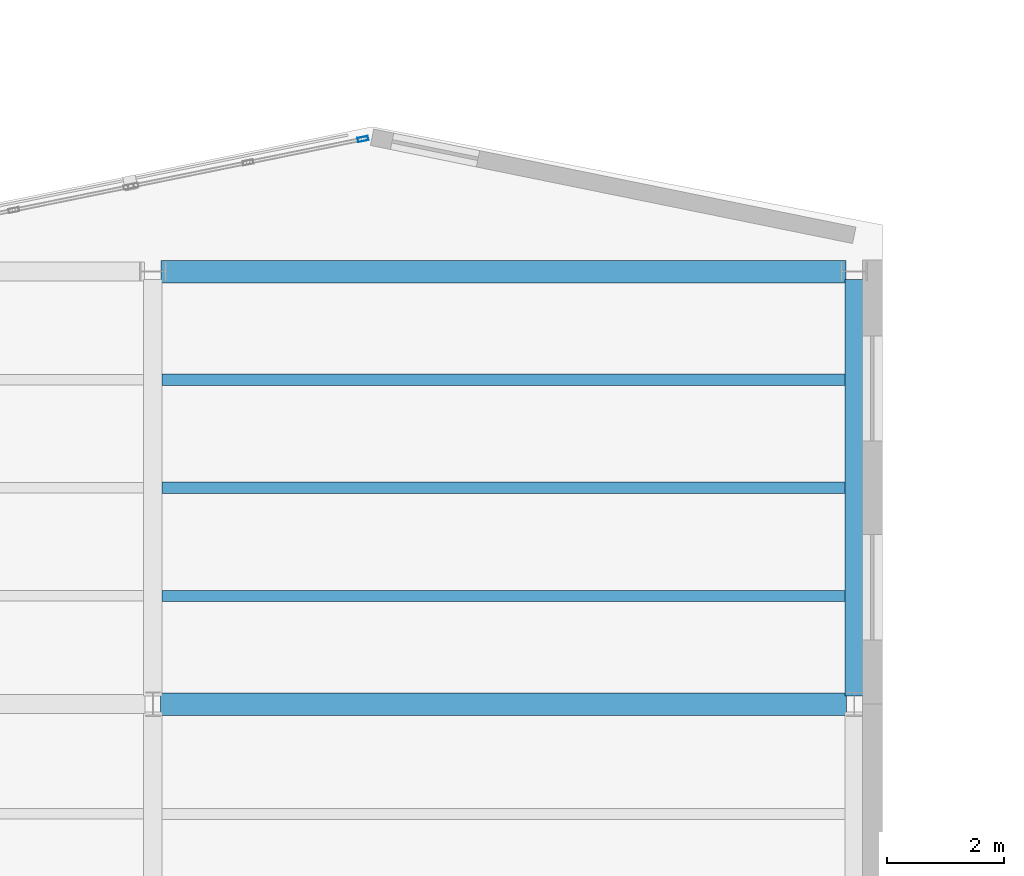
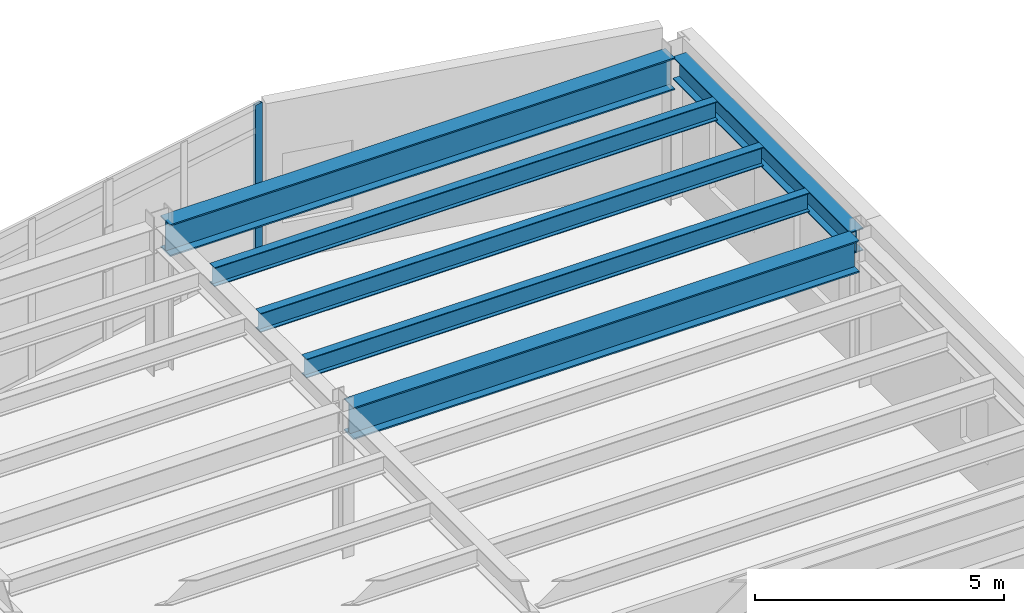
# One storey, part 18 of 46: 6 beams, 1 member, 1 element without a shape of its own.
"""IFC4 building model written with IfcOpenShell, lengths in metres."""

import ifcopenshell
import ifcopenshell.guid

model = None  # the IFC model being written
_history = None  # IfcOwnerHistory: only IFC2X3 demands one
_inside = {}  # id of a spatial element -> (the spatial element, [elements in it])
_under = {}  # id of a project, library or spatial element -> (it, [spatial elements below it])
_declared = {}  # id of a project -> (the project, [libraries it declares])
_typed = {}  # id of a type object -> (the type object, [elements of that type])
_made_of = {}  # id of a material, layer set ... -> (it, [elements and type objects made of it])


def new_model(schema):
    """Start an empty IFC model of exactly this schema.

    Asked for "IFC4X3", IfcOpenShell would pick the latest addendum, in which some entities
    have other attributes; the version numbers below select the first issue.
    IFC2X3 requires an IfcOwnerHistory on every rooted entity: one is made here for all.
    """
    global model, _history
    if schema == "IFC4X3":
        model = ifcopenshell.file(schema_version=(4, 3, 0, 0))
    else:
        model = ifcopenshell.file(schema=schema)
    _inside.clear()
    _under.clear()
    _declared.clear()
    _typed.clear()
    _made_of.clear()
    _history = None
    if model.schema == "IFC2X3":
        org = make("IfcOrganization", Name="unknown")
        user = make(
            "IfcPersonAndOrganization",
            ThePerson=make("IfcPerson", FamilyName="unknown"),
            TheOrganization=org,
        )
        app = make(
            "IfcApplication",
            ApplicationDeveloper=org,
            Version="unknown",
            ApplicationFullName="unknown",
            ApplicationIdentifier="unknown",
        )
        _history = make(
            "IfcOwnerHistory",
            OwningUser=user,
            OwningApplication=app,
            ChangeAction="ADDED",
            CreationDate=0,
        )
    return model


def make(cls, **values):
    """One entity of the class cls with the attributes given. An attribute that is None is left unset."""
    return model.create_entity(
        cls, **{name: value for name, value in values.items() if value is not None}
    )


def rooted(cls, **values):
    """An entity with a GlobalId (a new one), such as an element, a storey or a relation."""
    return make(cls, GlobalId=ifcopenshell.guid.new(), OwnerHistory=_history, **values)


def si_unit(unit_type, name, prefix=None):
    """IfcSIUnit, for example si_unit("LENGTHUNIT", "METRE", prefix="MILLI")."""
    return make("IfcSIUnit", UnitType=unit_type, Prefix=prefix, Name=name)


def assignment(units):
    """IfcUnitAssignment: the units of a project."""
    return None if units is None else make("IfcUnitAssignment", Units=units)


def point(xyz):
    """IfcCartesianPoint."""
    return None if xyz is None else make("IfcCartesianPoint", Coordinates=xyz)


def direction(xyz):
    """IfcDirection."""
    return None if xyz is None else make("IfcDirection", DirectionRatios=xyz)


def frame(location, z_axis=None, x_axis=None):
    """IfcAxis2Placement3D, a coordinate frame: its origin and axes. An axis left out is left unset."""
    return make(
        "IfcAxis2Placement3D",
        Location=point(location),
        Axis=direction(z_axis),
        RefDirection=direction(x_axis),
    )


def frame_2d(location, x_axis=None):
    """IfcAxis2Placement2D, a coordinate frame in the plane: its origin and x axis."""
    return make(
        "IfcAxis2Placement2D", Location=point(location), RefDirection=direction(x_axis)
    )


def origin():
    """The frame at (0, 0, 0) with its axes left unset."""
    return frame((0.0, 0.0, 0.0))


def origin_2d():
    """The frame at (0, 0) in the plane with its x axis left unset."""
    return frame_2d((0.0, 0.0))


def place(relative_to, where):
    """IfcLocalPlacement: puts the frame where relative to a parent placement (None: the world)."""
    return make(
        "IfcLocalPlacement", PlacementRelTo=relative_to, RelativePlacement=where
    )


def context(
    kind, dimensions, precision=None, world=None, true_north=None, identifier=None
):
    """IfcGeometricRepresentationContext, for example the 3D "Model" context."""
    return make(
        "IfcGeometricRepresentationContext",
        ContextIdentifier=identifier,
        ContextType=kind,
        CoordinateSpaceDimension=dimensions,
        Precision=precision,
        WorldCoordinateSystem=world,
        TrueNorth=true_north,
    )


def subcontext(parent, identifier, kind, view, scale=None):
    """IfcGeometricRepresentationSubContext, for example "Body" below "Model"."""
    return make(
        "IfcGeometricRepresentationSubContext",
        ContextIdentifier=identifier,
        ContextType=kind,
        ParentContext=parent,
        TargetScale=scale,
        TargetView=view,
    )


def project(units=None, contexts=None):
    """IfcProject with its units and contexts."""
    return rooted(
        "IfcProject",
        Name="project",
        RepresentationContexts=contexts,
        UnitsInContext=assignment(units),
    )


def spatial(cls, under=None, at=None, **own):
    """A site, building, storey or space (cls), placed at a placement, below another one or the project."""
    s = rooted(cls, ObjectPlacement=at, **own)
    if under is not None:
        _under.setdefault(under.id(), (under, []))[1].append(s)
    return s


def profile(cls, at=None, kind="AREA", **sizes):
    """A parametric profile (cls). Its sizes go by their IFC names, for example OverallWidth=200.0."""
    return make(cls, ProfileType=kind, Position=at, **sizes)


def hollow_rectangle(**sizes):
    """IfcRectangleHollowProfileDef."""
    return profile("IfcRectangleHollowProfileDef", **sizes)


def i_section(**sizes):
    """IfcIShapeProfileDef."""
    return profile("IfcIShapeProfileDef", **sizes)


def extrude(swept, where, along, depth):
    """IfcExtrudedAreaSolid: the profile swept, set in the frame where, extruded along a direction by depth."""
    return make(
        "IfcExtrudedAreaSolid",
        SweptArea=swept,
        Position=where,
        ExtrudedDirection=direction(along),
        Depth=depth,
    )


def shape(context_of_items, identifier, shape_type, items):
    """IfcShapeRepresentation: the items that make up one representation, for example the "Body"."""
    return make(
        "IfcShapeRepresentation",
        ContextOfItems=context_of_items,
        RepresentationIdentifier=identifier,
        RepresentationType=shape_type,
        Items=items,
    )


def material(Name=None, Category=None):
    """IfcMaterial."""
    return make("IfcMaterial", Name=Name, Category=Category)


def layer(
    of_material, thickness, ventilated=None, Name=None, Category=None, Priority=None
):
    """IfcMaterialLayer: one layer of a wall or slab, of a material (None: an air gap)."""
    return make(
        "IfcMaterialLayer",
        Material=of_material,
        LayerThickness=thickness,
        IsVentilated=ventilated,
        Name=Name,
        Category=Category,
        Priority=Priority,
    )


def layer_set(layers, Name=None):
    """IfcMaterialLayerSet."""
    return make("IfcMaterialLayerSet", MaterialLayers=layers, LayerSetName=Name)


def material_profile(
    of_material, cross_section, Name=None, Category=None, Priority=None
):
    """IfcMaterialProfile: a cross section and its material."""
    return make(
        "IfcMaterialProfile",
        Name=Name,
        Material=of_material,
        Profile=cross_section,
        Priority=Priority,
        Category=Category,
    )


def profile_set(profiles, Name=None, composite=None):
    """IfcMaterialProfileSet."""
    return make(
        "IfcMaterialProfileSet",
        Name=Name,
        MaterialProfiles=profiles,
        CompositeProfile=composite,
    )


def made_of(thing, what):
    """Note that an element or type object is made of a material, layer set ...; save() writes the relation."""
    if what is not None:
        _made_of.setdefault(what.id(), (what, []))[1].append(thing)
    return thing


def type_object(cls, material=None, **own):
    """A type object (cls), such as IfcWallType, which elements share."""
    return made_of(rooted(cls, **own), material)


def element(
    cls,
    number,
    at=None,
    inside=None,
    cuts=None,
    type_object=None,
    material=None,
    context=None,
    identifier="Body",
    shape_type=None,
    held_by="IfcProductDefinitionShape",
    body=None,
    shapes=None,
    **own,
):
    """One element of the class cls, such as IfcWall. Its Tag is "e" and its number.

    at: its placement. inside: the storey or other place that contains it. cuts: it is an
    opening in that element (IfcRelVoidsElement). A single representation is given by context,
    identifier, shape_type and body (its items); several are given by shapes. held_by: the class
    of the entity that holds the representations. save() writes the other relations.
    """
    e = rooted(cls, Tag="e%d" % number, ObjectPlacement=at, **own)
    if body is not None:
        shapes = [shape(context, identifier, shape_type, body)]
    if shapes is not None:
        e.Representation = make(held_by, Representations=shapes)
    if inside is not None:
        _inside.setdefault(inside.id(), (inside, []))[1].append(e)
    if cuts is not None:
        rooted(
            "IfcRelVoidsElement", RelatingBuildingElement=cuts, RelatedOpeningElement=e
        )
    if type_object is not None:
        _typed.setdefault(type_object.id(), (type_object, []))[1].append(e)
    return made_of(e, material)


def aggregate(whole, parts):
    """IfcRelAggregates: a whole, such as a stair, and the parts it consists of."""
    return rooted("IfcRelAggregates", RelatingObject=whole, RelatedObjects=parts)


def save(model, path):
    """Write the relations noted so far, then the file.

    IfcRelAggregates (storeys below a building ...), IfcRelContainedInSpatialStructure (elements
    in a storey), IfcRelDefinesByType, IfcRelAssociatesMaterial and IfcRelDeclares: one each for
    every whole, place, type object, material and project.
    """
    for whole, parts in _under.values():
        aggregate(whole, parts)
    for where, things in _inside.values():
        rooted(
            "IfcRelContainedInSpatialStructure",
            RelatedElements=things,
            RelatingStructure=where,
        )
    for kind, things in _typed.values():
        rooted("IfcRelDefinesByType", RelatedObjects=things, RelatingType=kind)
    for what, things in _made_of.values():
        rooted("IfcRelAssociatesMaterial", RelatedObjects=things, RelatingMaterial=what)
    for by, libraries in _declared.values():
        rooted("IfcRelDeclares", RelatingContext=by, RelatedDefinitions=libraries)
    model.write(path)


model = new_model("IFC4")

# Units and contexts
model_context = context("Model", 3, precision=1e-05, world=origin(), true_north=direction((0.0, 1.0)))
body_context = subcontext(model_context, "Body", "Model", "MODEL_VIEW")
ifc_project = project(units=[si_unit("LENGTHUNIT", "METRE"), si_unit("AREAUNIT", "SQUARE_METRE"), si_unit("VOLUMEUNIT", "CUBIC_METRE"), si_unit("PLANEANGLEUNIT", "RADIAN"), si_unit("MASSUNIT", "GRAM", prefix="KILO")], contexts=[model_context])

# Site, building, storey
site_placement = place(None, origin())
site = spatial("IfcSite", under=ifc_project, at=site_placement, CompositionType="ELEMENT")
building_placement = place(site_placement, origin())
building = spatial("IfcBuilding", under=site, at=building_placement, Name="Sollismere Congress Hotel", CompositionType="ELEMENT")
storey_placement = place(building_placement, frame((0.0, 0.0, 19.5)))
storey = spatial("IfcBuildingStorey", under=building, at=storey_placement, Name="L04", CompositionType="ELEMENT", Elevation=19.5)

# Beams
ifc_material_1 = material(Name="Steel ASTM A992 Grade 50", Category="steel")
ifc_material_profile_1 = material_profile(ifc_material_1, i_section(OverallWidth=0.31494140625, OverallDepth=0.551025390625, WebThickness=0.01513671875, FlangeThickness=0.0244140625, at=origin_2d()), Name="W21X122")
ifc_profile_set_1 = profile_set([ifc_material_profile_1], Name="Steel ASTM A992 Grade 50")
beam_type_1 = type_object("IfcBeamType", Name="BM-G21H", PredefinedType="BEAM", material=ifc_profile_set_1)
beam_1_placement = place(storey_placement, frame((124.0, 95.139892578125, 3.33447265625), z_axis=(0.0, 1.0, 0.0), x_axis=(-1.0, 0.0, 0.0)))
element("IfcBeam", 1, at=beam_1_placement, inside=storey, type_object=beam_type_1, Name="Beam BM-L04-2760", PredefinedType="BEAM", context=body_context, shape_type="SweptSolid", body=[
    extrude(i_section(OverallWidth=0.31494140625, OverallDepth=0.551025390625, WebThickness=0.01513671875, FlangeThickness=0.0244140625, at=origin_2d()), origin(), (0.0, 0.0, 1.0), 7.1201171875),
])
ifc_material_profile_2 = material_profile(ifc_material_1, i_section(OverallWidth=0.384033203125, OverallDepth=0.787109375, WebThickness=0.019775390625, FlangeThickness=0.033447265625, at=origin_2d()), Name="W30X211")
ifc_profile_set_2 = profile_set([ifc_material_profile_2], Name="Steel ASTM A992 Grade 50")
beam_type_2 = type_object("IfcBeamType", Name="BM-G30", PredefinedType="BEAM", material=ifc_profile_set_2)
beam_2_placement = place(storey_placement, frame((112.131103515625, 95.0, 3.216552734375), z_axis=(1.0, 0.0, 0.0), x_axis=(0.0, 1.0, 0.0)))
element("IfcBeam", 2, at=beam_2_placement, inside=storey, type_object=beam_type_2, Name="Beam BM-L04-2711", PredefinedType="BEAM", context=body_context, shape_type="SweptSolid", body=[
    extrude(i_section(OverallWidth=0.384033203125, OverallDepth=0.787109375, WebThickness=0.019775390625, FlangeThickness=0.033447265625, at=origin_2d()), origin(), (0.0, 0.0, 1.0), 11.73779296875),
])
beam_3_placement = place(storey_placement, frame((112.139892578125, 102.39990234375, 3.216552734375), z_axis=(1.0, 0.0, 0.0), x_axis=(0.0, 1.0, 0.0)))
element("IfcBeam", 3, at=beam_3_placement, inside=storey, type_object=beam_type_2, Name="Beam BM-L04-2718", PredefinedType="BEAM", context=body_context, shape_type="SweptSolid", body=[
    extrude(i_section(OverallWidth=0.384033203125, OverallDepth=0.787109375, WebThickness=0.019775390625, FlangeThickness=0.033447265625, at=origin_2d()), origin(), (0.0, 0.0, 1.0), 11.72021484375),
])
ifc_material_profile_3 = material_profile(ifc_material_1, i_section(OverallWidth=0.193115234375, OverallDepth=0.467041015625, WebThickness=0.011474609375, FlangeThickness=0.01904296875, at=origin_2d()), Name="W18X65")
ifc_profile_set_3 = profile_set([ifc_material_profile_3], Name="Steel ASTM A992 Grade 50")
beam_type_3 = type_object("IfcBeamType", Name="BM-J18", PredefinedType="JOIST", material=ifc_profile_set_3)
for number, where, z_axis, x_axis, name in (
    (4, (112.157470703125, 96.85009765625, 3.37646484375), (1.0, 0.0, 0.0), (0.0, 1.0, 0.0), "Beam BM-L04-2892"),
    (5, (112.157470703125, 98.699951171875, 3.37646484375), (1.0, 0.0, 0.0), (0.0, 1.0, 0.0), "Beam BM-L04-2893"),
    (6, (112.157470703125, 100.550048828125, 3.37646484375), (1.0, 0.0, 0.0), (0.0, 1.0, 0.0), "Beam BM-L04-2894"),
):
    element("IfcBeam", number, at=place(storey_placement, frame(where, z_axis=z_axis, x_axis=x_axis)), inside=storey, type_object=beam_type_3, Name=name, PredefinedType="JOIST", context=body_context, shape_type="SweptSolid", body=[
        extrude(i_section(OverallWidth=0.193115234375, OverallDepth=0.467041015625, WebThickness=0.011474609375, FlangeThickness=0.01904296875, at=origin_2d()), origin(), (0.0, 0.0, 1.0), 11.68505859375),
    ])

# Curtain wall, member
ifc_material_2 = material(Name="Anodized Bronze Curtain Wall & Low-E Triple Glazing", Category="glass")
ifc_layer = layer(ifc_material_2, 0.199951171875, Name="Anodized Bronze Curtain Wall & Low-E Triple Glazing")
ifc_layer_set = layer_set([ifc_layer], Name="Anodized Bronze Curtain Wall & Low-E Triple Glazing")
curtain_wall_type = type_object("IfcCurtainWallType", Name="CW-GLZ36", PredefinedType="USERDEFINED", material=ifc_layer_set)
curtain_wall_placement = place(storey_placement, origin())
curtain_wall = element("IfcCurtainWall", 7, at=curtain_wall_placement, inside=storey, type_object=curtain_wall_type, Name="Unitised curtain wall CW-L04-120", ObjectType="UNITISED CURTAIN WALL", PredefinedType="USERDEFINED")
ifc_material_3 = material(Name="Anodized Aluminum 6063-T6", Category="aluminium")
ifc_material_profile_4 = material_profile(ifc_material_3, hollow_rectangle(XDim=0.074951171875, YDim=0.179931640625, WallThickness=0.0048828125, at=origin_2d()), Name="ALU180X75X5")
ifc_profile_set_4 = profile_set([ifc_material_profile_4], Name="Anodized Aluminum 6063-T6")
member_type = type_object("IfcMemberType", Name="ML-CW180", PredefinedType="MULLION", material=ifc_profile_set_4)
member_placement = place(storey_placement, frame((115.59521484375, 104.6669921875, 0.0), z_axis=(0.0, 0.0, 1.0), x_axis=(-0.199367934417, 0.979924704621, 0.0)))
member = element("IfcMember", 8, at=member_placement, type_object=member_type, Name="CWL-CW-L04-120-ML03", PredefinedType="MULLION", context=body_context, shape_type="SweptSolid", body=[
    extrude(hollow_rectangle(XDim=0.074951171875, YDim=0.179931640625, WallThickness=0.0048828125, at=origin_2d()), origin(), (0.0, 0.0, 1.0), 3.89990234375),
])
aggregate(curtain_wall, [member])

save(model, "model.ifc")
